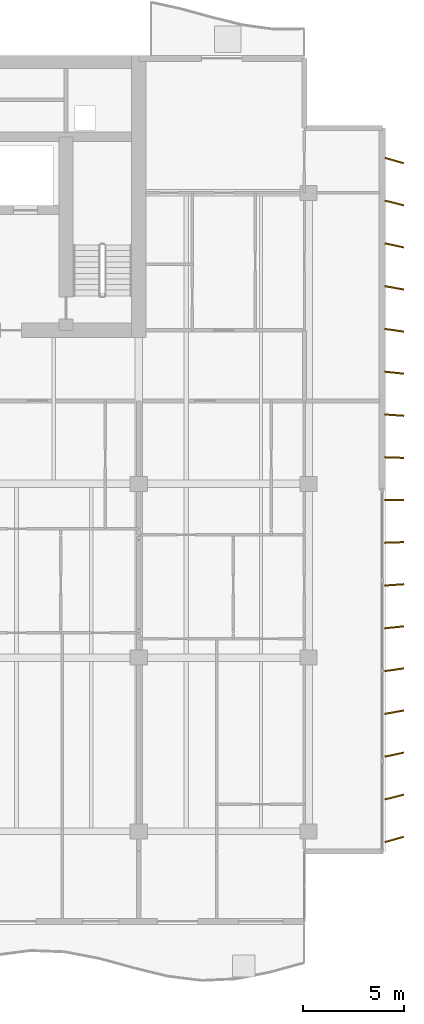
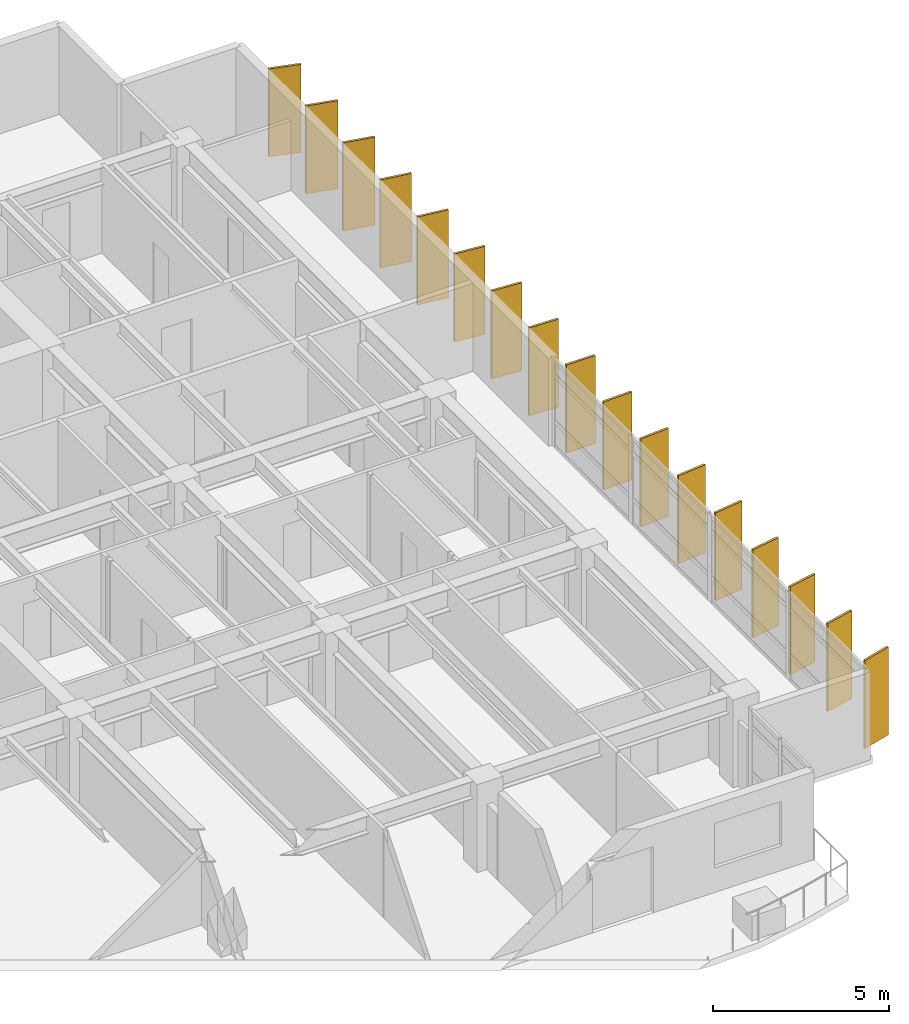
# One storey, part 19 of 19: 17 shading devices.
"""IFC4 building model written with IfcOpenShell, lengths in metres."""

from ifc_helpers import new_model, si_unit, direction, frame, origin, origin_2d, place, context, subcontext, project, spatial, rectangle, extrude, material, material_profile, profile_set, type_object, element, save


model = new_model("IFC4")

# Units and contexts
model_context = context("Model", 3, precision=1e-05, world=origin(), true_north=direction((0.0, 1.0)))
body_context = subcontext(model_context, "Body", "Model", "MODEL_VIEW")
ifc_project = project(units=[si_unit("LENGTHUNIT", "METRE"), si_unit("AREAUNIT", "SQUARE_METRE"), si_unit("VOLUMEUNIT", "CUBIC_METRE"), si_unit("PLANEANGLEUNIT", "RADIAN"), si_unit("MASSUNIT", "GRAM", prefix="KILO")], contexts=[model_context])

# Site, building, storey
site_placement = place(None, origin())
site = spatial("IfcSite", under=ifc_project, at=site_placement, CompositionType="ELEMENT")
building_placement = place(site_placement, origin())
building = spatial("IfcBuilding", under=site, at=building_placement, Name="Caelmar Bay Residences", CompositionType="ELEMENT")
storey_placement = place(building_placement, frame((0.0, 0.0, 195.0)))
storey = spatial("IfcBuildingStorey", under=building, at=storey_placement, Name="L54", CompositionType="ELEMENT", Elevation=195.0)

# Shading devices
ifc_material = material(Name="Anodised architectural bronze aluminium 6063-T6", Category="aluminium")
ifc_material_profile = material_profile(ifc_material, rectangle(XDim=0.074951171875, YDim=0.949951171875, at=origin_2d()), Name="BRONZE-FIN-75X950")
ifc_profile_set = profile_set([ifc_material_profile], Name="Anodised architectural bronze aluminium 6063-T6")
shading_device_type = type_object("IfcShadingDeviceType", Name="SHD-FIN-950", PredefinedType="USERDEFINED", material=ifc_profile_set)
for number, where, z_axis, x_axis, name in (
    (1, (72.14990234375, 11.800048828125, 0.0), (0.0, 0.0, 1.0), (-0.275637355817, 0.961261695938, 0.0), "L54 East Bronze Solar Fin 1"),
    (2, (72.14990234375, 13.89990234375, 0.0), (0.0, 0.0, 1.0), (-0.2419218956, 0.970295726276, 0.0), "L54 East Bronze Solar Fin 2"),
    (3, (72.14990234375, 16.0, 0.0), (0.0, 0.0, 1.0), (-0.207911690818, 0.978147600734, 0.0), "L54 East Bronze Solar Fin 3"),
    (4, (72.14990234375, 18.10009765625, 0.0), (0.0, 0.0, 1.0), (-0.173648177667, 0.984807753012, 0.0), "L54 East Bronze Solar Fin 4"),
    (5, (72.14990234375, 20.199951171875, 0.0), (0.0, 0.0, 1.0), (-0.13917310096, 0.990268068742, 0.0), "L54 East Bronze Solar Fin 5"),
    (6, (72.14990234375, 22.300048828125, 0.0), (0.0, 0.0, 1.0), (-0.104528463268, 0.994521895368, 0.0), "L54 East Bronze Solar Fin 6"),
    (7, (72.14990234375, 24.39990234375, 0.0), (0.0, 0.0, 1.0), (-0.069756473744, 0.99756405026, 0.0), "L54 East Bronze Solar Fin 7"),
    (8, (72.14990234375, 26.5, 0.0), (0.0, 0.0, 1.0), (-0.034899496703, 0.999390827019, 0.0), "L54 East Bronze Solar Fin 8"),
    (9, (72.14990234375, 28.60009765625, 0.0), (0.0, 0.0, 1.0), (0.0, 1.0, 0.0), "L54 East Bronze Solar Fin 9"),
    (10, (72.14990234375, 30.699951171875, 0.0), (0.0, 0.0, 1.0), (0.034899496703, 0.999390827019, 0.0), "L54 East Bronze Solar Fin 10"),
    (11, (72.14990234375, 32.800048828125, 0.0), (0.0, 0.0, 1.0), (0.069756473744, 0.99756405026, 0.0), "L54 East Bronze Solar Fin 11"),
    (12, (72.14990234375, 34.89990234375, 0.0), (0.0, 0.0, 1.0), (0.104528463268, 0.994521895368, 0.0), "L54 East Bronze Solar Fin 12"),
    (13, (72.14990234375, 37.0, 0.0), (0.0, 0.0, 1.0), (0.13917310096, 0.990268068742, 0.0), "L54 East Bronze Solar Fin 13"),
    (14, (72.14990234375, 39.10009765625, 0.0), (0.0, 0.0, 1.0), (0.173648177667, 0.984807753012, 0.0), "L54 East Bronze Solar Fin 14"),
    (15, (72.14990234375, 41.199951171875, 0.0), (0.0, 0.0, 1.0), (0.207911690818, 0.978147600734, 0.0), "L54 East Bronze Solar Fin 15"),
    (16, (72.14990234375, 43.300048828125, 0.0), (0.0, 0.0, 1.0), (0.2419218956, 0.970295726276, 0.0), "L54 East Bronze Solar Fin 16"),
    (17, (72.14990234375, 45.39990234375, 0.0), (0.0, 0.0, 1.0), (0.275637355817, 0.961261695938, 0.0), "L54 East Bronze Solar Fin 17"),
):
    element("IfcShadingDevice", number, at=place(storey_placement, frame(where, z_axis=z_axis, x_axis=x_axis)), inside=storey, type_object=shading_device_type, Name=name, ObjectType="FIN", PredefinedType="USERDEFINED", context=body_context, shape_type="SweptSolid", body=[
        extrude(rectangle(XDim=0.074951171875, YDim=0.949951171875, at=origin_2d()), origin(), (0.0, 0.0, 1.0), 3.050048828125),
    ])

save(model, "model.ifc")
